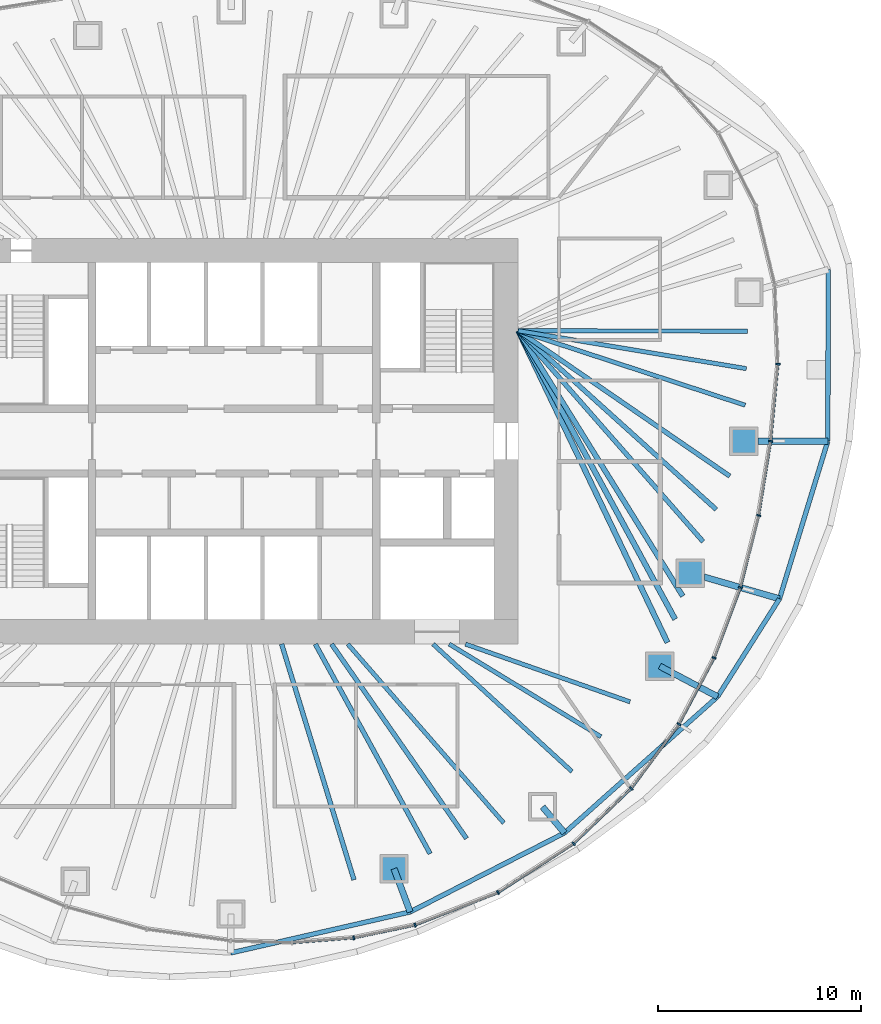
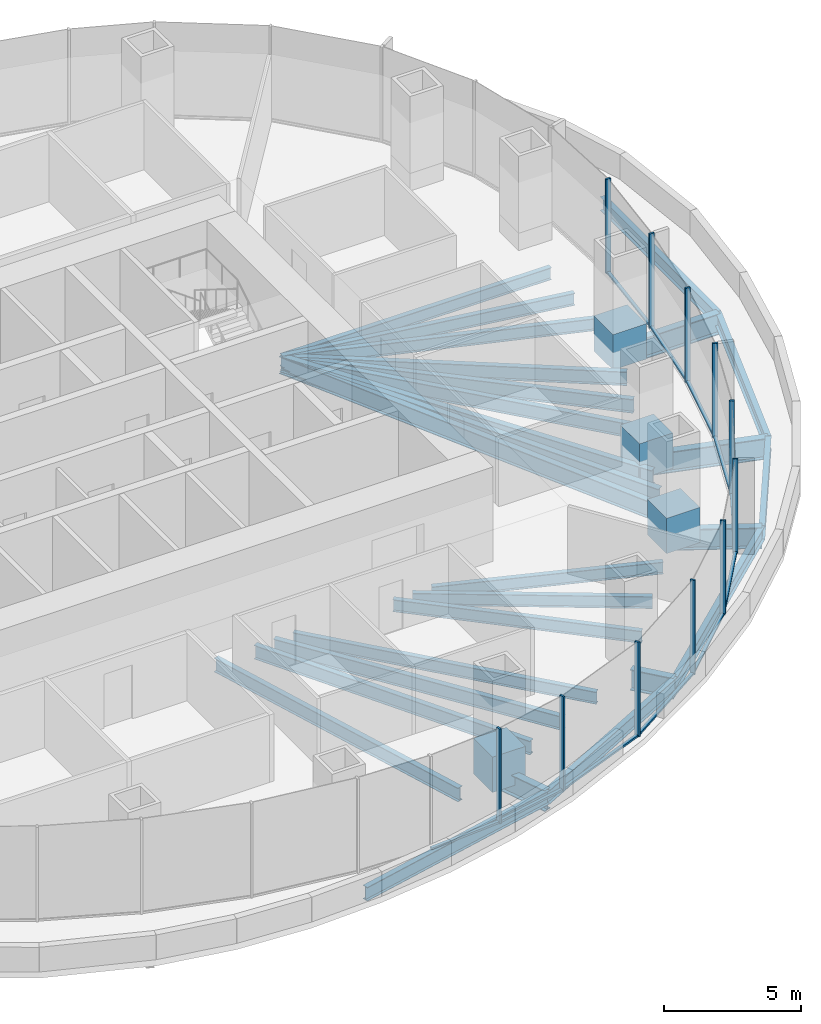
# One storey, part 4 of 12: 27 beams, 26 members, 6 elements without a shape of their own.
"""IFC4 building model written with IfcOpenShell, lengths in metres."""

from ifc_helpers import new_model, si_unit, direction, frame, origin, origin_2d, place, context, subcontext, project, spatial, rectangle, hollow_rectangle, i_section, extrude, boolean, material, material_profile, profile_set, type_object, element, aggregate, save


model = new_model("IFC4")

# Units and contexts
model_context = context("Model", 3, precision=1e-05, world=origin(), true_north=direction((0.0, 1.0)))
body_context = subcontext(model_context, "Body", "Model", "MODEL_VIEW")
ifc_project = project(units=[si_unit("LENGTHUNIT", "METRE"), si_unit("AREAUNIT", "SQUARE_METRE"), si_unit("VOLUMEUNIT", "CUBIC_METRE"), si_unit("PLANEANGLEUNIT", "RADIAN"), si_unit("MASSUNIT", "GRAM", prefix="KILO")], contexts=[model_context])

# Site, building, storey
site_placement = place(None, origin())
site = spatial("IfcSite", under=ifc_project, at=site_placement, CompositionType="ELEMENT")
building_placement = place(site_placement, origin())
building = spatial("IfcBuilding", under=site, at=building_placement, Name="Ghaith Harvest Tower", CompositionType="ELEMENT")
storey_placement = place(building_placement, frame((0.0, 0.0, 194.800048828125)))
storey = spatial("IfcBuildingStorey", under=building, at=storey_placement, Name="L42", CompositionType="ELEMENT", Elevation=194.800048828125)

# Curtain wall, members
ifc_material_1 = material(Name="Black anodised aluminium and fritted glass", Category="aluminium")
curtain_wall_type = type_object("IfcCurtainWallType", Name="CW-H CURTAIN WALL", PredefinedType="NOTDEFINED", material=ifc_material_1)
curtain_wall_1_placement = place(storey_placement, origin())
curtain_wall_1 = element("IfcCurtainWall", 1, at=curtain_wall_1_placement, inside=storey, type_object=curtain_wall_type, Name="Curtain wall CW-H bay 01 L42", PredefinedType="NOTDEFINED")
ifc_material_2 = material(Name="Aluminium, black anodised", Category="aluminium")
ifc_material_profile_1 = material_profile(ifc_material_2, rectangle(XDim=0.080078125, YDim=0.199951171875, at=origin_2d()), Name="CW-H MULLION 80x200")
ifc_profile_set_1 = profile_set([ifc_material_profile_1], Name="Aluminium, black anodised")
member_type_1 = type_object("IfcMemberType", Name="CW-H MULLION 80x200", PredefinedType="MULLION", material=ifc_profile_set_1)
member_1_placement = place(storey_placement, frame((26.445068359375, 0.0, 0.0), z_axis=(0.0, 0.0, 1.0), x_axis=(0.126567624553, 0.991957981174, 0.0)))
member_1 = element("IfcMember", 2, at=member_1_placement, type_object=member_type_1, Name="CW-H mullion 1 bay 01 L42", PredefinedType="MULLION", context=body_context, shape_type="SweptSolid", body=[
    extrude(rectangle(XDim=0.080078125, YDim=0.199951171875, at=origin_2d()), origin(), (0.0, 0.0, 1.0), 4.199951171875),
])
member_2_placement = place(storey_placement, frame((26.804443359375, 3.7958984375, 0.0), z_axis=(0.0, 0.0, 1.0), x_axis=(0.026142797814, 0.999658218654, 0.0)))
member_2 = element("IfcMember", 3, at=member_2_placement, type_object=member_type_1, Name="CW-H mullion 2 bay 01 L42", PredefinedType="MULLION", context=body_context, shape_type="SweptSolid", body=[
    extrude(rectangle(XDim=0.080078125, YDim=0.199951171875, at=origin_2d()), origin(), (0.0, 0.0, 1.0), 4.199951171875),
])

# Curtain wall, member
curtain_wall_2_placement = place(storey_placement, origin())
curtain_wall_2 = element("IfcCurtainWall", 4, at=curtain_wall_2_placement, inside=storey, type_object=curtain_wall_type, Name="Curtain wall CW-H bay 16 L42", PredefinedType="NOTDEFINED")
member_3_placement = place(storey_placement, frame((5.893310546875, -24.48291015625, 0.0), z_axis=(0.0, 0.0, 1.0), x_axis=(0.989849191496, 0.142121701704, 0.0)))
member_3 = element("IfcMember", 5, at=member_3_placement, type_object=member_type_1, Name="CW-H mullion 3 bay 16 L42", PredefinedType="MULLION", context=body_context, shape_type="SweptSolid", body=[
    extrude(rectangle(XDim=0.080078125, YDim=0.199951171875, at=origin_2d()), origin(), (0.0, 0.0, 1.0), 4.199951171875),
])

# Curtain wall, members
curtain_wall_3_placement = place(storey_placement, origin())
curtain_wall_3 = element("IfcCurtainWall", 6, at=curtain_wall_3_placement, inside=storey, type_object=curtain_wall_type, Name="Curtain wall CW-H bay 17 L42", PredefinedType="NOTDEFINED")
member_4_placement = place(storey_placement, frame((8.916015625, -23.85009765625, 0.0), z_axis=(0.0, 0.0, 1.0), x_axis=(0.954029934434, 0.299711334793, 0.0)))
member_4 = element("IfcMember", 7, at=member_4_placement, type_object=member_type_1, Name="CW-H mullion 1 bay 17 L42", PredefinedType="MULLION", context=body_context, shape_type="SweptSolid", body=[
    extrude(rectangle(XDim=0.080078125, YDim=0.199951171875, at=origin_2d()), origin(), (0.0, 0.0, 1.0), 4.199951171875),
])
member_5_placement = place(storey_placement, frame((13.010009765625, -22.2470703125, 0.0), z_axis=(0.0, 0.0, 1.0), x_axis=(0.889568363425, 0.456802065225, 0.0)))
member_5 = element("IfcMember", 8, at=member_5_placement, type_object=member_type_1, Name="CW-H mullion 2 bay 17 L42", PredefinedType="MULLION", context=body_context, shape_type="SweptSolid", body=[
    extrude(rectangle(XDim=0.080078125, YDim=0.199951171875, at=origin_2d()), origin(), (0.0, 0.0, 1.0), 4.199951171875),
])

curtain_wall_4_placement = place(storey_placement, origin())
curtain_wall_4 = element("IfcCurtainWall", 9, at=curtain_wall_4_placement, inside=storey, type_object=curtain_wall_type, Name="Curtain wall CW-H bay 18 L42", PredefinedType="NOTDEFINED")
member_6_placement = place(storey_placement, frame((16.72900390625, -19.838134765625, 0.0), z_axis=(0.0, 0.0, 1.0), x_axis=(0.78784554071, 0.615872879727, 0.0)))
member_6 = element("IfcMember", 10, at=member_6_placement, type_object=member_type_1, Name="CW-H mullion 1 bay 18 L42", PredefinedType="MULLION", context=body_context, shape_type="SweptSolid", body=[
    extrude(rectangle(XDim=0.080078125, YDim=0.199951171875, at=origin_2d()), origin(), (0.0, 0.0, 1.0), 4.199951171875),
])
member_7_placement = place(storey_placement, frame((19.57421875, -17.11572265625, 0.0), z_axis=(0.0, 0.0, 1.0), x_axis=(0.661614965695, 0.749843741835, 0.0)))
member_7 = element("IfcMember", 11, at=member_7_placement, type_object=member_type_1, Name="CW-H mullion 2 bay 18 L42", PredefinedType="MULLION", context=body_context, shape_type="SweptSolid", body=[
    extrude(rectangle(XDim=0.080078125, YDim=0.199951171875, at=origin_2d()), origin(), (0.0, 0.0, 1.0), 4.199951171875),
])

curtain_wall_5_placement = place(storey_placement, origin())
curtain_wall_5 = element("IfcCurtainWall", 12, at=curtain_wall_5_placement, inside=storey, type_object=curtain_wall_type, Name="Curtain wall CW-H bay 19 L42", PredefinedType="NOTDEFINED")
member_8_placement = place(storey_placement, frame((21.922607421875, -13.951904296875, 0.0), z_axis=(0.0, 0.0, 1.0), x_axis=(0.535827198032, 0.844327669717, 0.0)))
member_8 = element("IfcMember", 13, at=member_8_placement, type_object=member_type_1, Name="CW-H mullion 1 bay 19 L42", PredefinedType="MULLION", context=body_context, shape_type="SweptSolid", body=[
    extrude(rectangle(XDim=0.080078125, YDim=0.199951171875, at=origin_2d()), origin(), (0.0, 0.0, 1.0), 4.199951171875),
])
member_9_placement = place(storey_placement, frame((23.658203125, -10.680419921875, 0.0), z_axis=(0.0, 0.0, 1.0), x_axis=(0.410429862351, 0.911892169114, 0.0)))
member_9 = element("IfcMember", 14, at=member_9_placement, type_object=member_type_1, Name="CW-H mullion 2 bay 19 L42", PredefinedType="MULLION", context=body_context, shape_type="SweptSolid", body=[
    extrude(rectangle(XDim=0.080078125, YDim=0.199951171875, at=origin_2d()), origin(), (0.0, 0.0, 1.0), 4.199951171875),
])

curtain_wall_6_placement = place(storey_placement, origin())
curtain_wall_6 = element("IfcCurtainWall", 15, at=curtain_wall_6_placement, inside=storey, type_object=curtain_wall_type, Name="Curtain wall CW-H bay 20 L42", PredefinedType="NOTDEFINED")
member_10_placement = place(storey_placement, frame((24.955810546875, -7.212890625, 0.0), z_axis=(0.0, 0.0, 1.0), x_axis=(0.298441625478, 0.954427889462, 0.0)))
member_10 = element("IfcMember", 16, at=member_10_placement, type_object=member_type_1, Name="CW-H mullion 1 bay 20 L42", PredefinedType="MULLION", context=body_context, shape_type="SweptSolid", body=[
    extrude(rectangle(XDim=0.080078125, YDim=0.199951171875, at=origin_2d()), origin(), (0.0, 0.0, 1.0), 4.199951171875),
])
member_11_placement = place(storey_placement, frame((25.85302734375, -3.6611328125, 0.0), z_axis=(0.0, 0.0, 1.0), x_axis=(0.202192370647, 0.979345825157, 0.0)))
member_11 = element("IfcMember", 17, at=member_11_placement, type_object=member_type_1, Name="CW-H mullion 2 bay 20 L42", PredefinedType="MULLION", context=body_context, shape_type="SweptSolid", body=[
    extrude(rectangle(XDim=0.080078125, YDim=0.199951171875, at=origin_2d()), origin(), (0.0, 0.0, 1.0), 4.199951171875),
])

# Member
ifc_material_3 = material(Name="Aluminium, black anodised", Category="aluminium")
ifc_material_profile_2 = material_profile(ifc_material_3, rectangle(XDim=0.1298828125, YDim=0.080078125, at=origin_2d()), Name="CW-H TRANSOM 130x80")
ifc_profile_set_2 = profile_set([ifc_material_profile_2], Name="Aluminium, black anodised")
member_type_2 = type_object("IfcMemberType", Name="CW-H TRANSOM 130x80", PredefinedType="USERDEFINED", material=ifc_profile_set_2)
member_12_placement = place(storey_placement, frame((26.44873046875, 0.039794921875, 0.0400390625), z_axis=(0.094309089207, 0.995542965267, 0.0), x_axis=(-0.995542965267, 0.094309089207, 0.0)))
member_12 = element("IfcMember", 18, at=member_12_placement, type_object=member_type_2, Name="CW-H transom 1 bay 01 L42", ObjectType="TRANSOM", PredefinedType="USERDEFINED", context=body_context, shape_type="SweptSolid", body=[
    extrude(rectangle(XDim=0.1298828125, YDim=0.080078125, at=origin_2d()), origin(), (0.0, 0.0, 1.0), 3.73291015625),
])

aggregate(curtain_wall_1, [member_1, member_12, member_2])

member_13_placement = place(storey_placement, frame((2.8876953125, -24.71826171875, 0.0400390625), z_axis=(0.996949781933, 0.078045706505, 0.0), x_axis=(-0.078045706505, 0.996949781933, 0.0)))
member_13 = element("IfcMember", 19, at=member_13_placement, type_object=member_type_2, Name="CW-H transom 2 bay 16 L42", ObjectType="TRANSOM", PredefinedType="USERDEFINED", context=body_context, shape_type="SweptSolid", body=[
    extrude(rectangle(XDim=0.1298828125, YDim=0.080078125, at=origin_2d()), origin(), (0.0, 0.0, 1.0), 2.974853515625),
])

member_14_placement = place(storey_placement, frame((5.932373046875, -24.474609375, 0.0400390625), z_axis=(0.978797058213, 0.204832416461, 0.0), x_axis=(-0.204832416461, 0.978797058213, 0.0)))
member_14 = element("IfcMember", 20, at=member_14_placement, type_object=member_type_2, Name="CW-H transom 3 bay 16 L42", ObjectType="TRANSOM", PredefinedType="USERDEFINED", context=body_context, shape_type="SweptSolid", body=[
    extrude(rectangle(XDim=0.1298828125, YDim=0.080078125, at=origin_2d()), origin(), (0.0, 0.0, 1.0), 3.00830078125),
])

aggregate(curtain_wall_2, [member_13, member_3, member_14])

member_15_placement = place(storey_placement, frame((8.953369140625, -23.835693359375, 0.0400390625), z_axis=(0.931147615871, 0.364642451529, 0.0), x_axis=(-0.364642451529, 0.931147615871, 0.0)))
member_15 = element("IfcMember", 21, at=member_15_placement, type_object=member_type_2, Name="CW-H transom 1 bay 17 L42", ObjectType="TRANSOM", PredefinedType="USERDEFINED", context=body_context, shape_type="SweptSolid", body=[
    extrude(rectangle(XDim=0.1298828125, YDim=0.080078125, at=origin_2d()), origin(), (0.0, 0.0, 1.0), 4.31640625),
])

member_16_placement = place(storey_placement, frame((13.04345703125, -22.225341796875, 0.0400390625), z_axis=(0.839306610985, 0.543658360331, 0.0), x_axis=(-0.543658360331, 0.839306610985, 0.0)))
member_16 = element("IfcMember", 22, at=member_16_placement, type_object=member_type_2, Name="CW-H transom 2 bay 17 L42", ObjectType="TRANSOM", PredefinedType="USERDEFINED", context=body_context, shape_type="SweptSolid", body=[
    extrude(rectangle(XDim=0.1298828125, YDim=0.080078125, at=origin_2d()), origin(), (0.0, 0.0, 1.0), 4.35107421875),
])

aggregate(curtain_wall_3, [member_4, member_15, member_5, member_16])

member_17_placement = place(storey_placement, frame((16.7578125, -19.810546875, 0.0400390625), z_axis=(0.722533278657, 0.691336141998, 0.0), x_axis=(-0.691336141998, 0.722533278657, 0.0)))
member_17 = element("IfcMember", 23, at=member_17_placement, type_object=member_type_2, Name="CW-H transom 1 bay 18 L42", ObjectType="TRANSOM", PredefinedType="USERDEFINED", context=body_context, shape_type="SweptSolid", body=[
    extrude(rectangle(XDim=0.1298828125, YDim=0.080078125, at=origin_2d()), origin(), (0.0, 0.0, 1.0), 3.858154296875),
])

member_18_placement = place(storey_placement, frame((19.59814453125, -17.083740234375, 0.0400390625), z_axis=(0.595995597074, 0.802987701194, 0.0), x_axis=(-0.802987701194, 0.595995597074, 0.0)))
member_18 = element("IfcMember", 24, at=member_18_placement, type_object=member_type_2, Name="CW-H transom 2 bay 18 L42", ObjectType="TRANSOM", PredefinedType="USERDEFINED", context=body_context, shape_type="SweptSolid", body=[
    extrude(rectangle(XDim=0.1298828125, YDim=0.080078125, at=origin_2d()), origin(), (0.0, 0.0, 1.0), 3.8603515625),
])

aggregate(curtain_wall_4, [member_6, member_17, member_7, member_18])

member_19_placement = place(storey_placement, frame((21.94140625, -13.91650390625, 0.0400390625), z_axis=(0.468646057757, 0.883386026915, 0.0), x_axis=(-0.883386026915, 0.468646057757, 0.0)))
member_19 = element("IfcMember", 25, at=member_19_placement, type_object=member_type_2, Name="CW-H transom 1 bay 19 L42", ObjectType="TRANSOM", PredefinedType="USERDEFINED", context=body_context, shape_type="SweptSolid", body=[
    extrude(rectangle(XDim=0.1298828125, YDim=0.080078125, at=origin_2d()), origin(), (0.0, 0.0, 1.0), 3.623291015625),
])

member_20_placement = place(storey_placement, frame((23.672119140625, -10.64306640625, 0.0400390625), z_axis=(0.350510368091, 0.936558851253, 0.0), x_axis=(-0.936558851253, 0.350510368091, 0.0)))
member_20 = element("IfcMember", 26, at=member_20_placement, type_object=member_type_2, Name="CW-H transom 2 bay 19 L42", ObjectType="TRANSOM", PredefinedType="USERDEFINED", context=body_context, shape_type="SweptSolid", body=[
    extrude(rectangle(XDim=0.1298828125, YDim=0.080078125, at=origin_2d()), origin(), (0.0, 0.0, 1.0), 3.62255859375),
])

aggregate(curtain_wall_5, [member_8, member_19, member_9, member_20])

member_21_placement = place(storey_placement, frame((24.965576171875, -7.174072265625, 0.0400390625), z_axis=(0.244939588347, 0.969538342749, 0.0), x_axis=(-0.969538342749, 0.244939588347, 0.0)))
member_21 = element("IfcMember", 27, at=member_21_placement, type_object=member_type_2, Name="CW-H transom 1 bay 20 L42", ObjectType="TRANSOM", PredefinedType="USERDEFINED", context=body_context, shape_type="SweptSolid", body=[
    extrude(rectangle(XDim=0.1298828125, YDim=0.080078125, at=origin_2d()), origin(), (0.0, 0.0, 1.0), 3.583251953125),
])

member_22_placement = place(storey_placement, frame((25.859375, -3.62158203125, 0.0400390625), z_axis=(0.159661845696, 0.987171765717, 0.0), x_axis=(-0.987171765717, 0.159661845696, 0.0)))
member_22 = element("IfcMember", 28, at=member_22_placement, type_object=member_type_2, Name="CW-H transom 2 bay 20 L42", ObjectType="TRANSOM", PredefinedType="USERDEFINED", context=body_context, shape_type="SweptSolid", body=[
    extrude(rectangle(XDim=0.1298828125, YDim=0.080078125, at=origin_2d()), origin(), (0.0, 0.0, 1.0), 3.628662109375),
])

aggregate(curtain_wall_6, [member_10, member_21, member_11, member_22])

# Beams
ifc_material_4 = material(Name="Steel ASTM A992 Grade 50", Category="steel")
ifc_material_profile_3 = material_profile(ifc_material_4, i_section(OverallWidth=0.22900390625, OverallDepth=0.612060546875, WebThickness=0.011962890625, FlangeThickness=0.01953125, at=origin_2d()), Name="W610X125")
ifc_profile_set_3 = profile_set([ifc_material_profile_3], Name="Steel ASTM A992 Grade 50")
beam_type_1 = type_object("IfcBeamType", Name="E610-125 W610X125", PredefinedType="SPANDREL", material=ifc_profile_set_3)
beam_1_placement = place(storey_placement, frame((29.2587890625, 0.0, -0.5810546875), z_axis=(0.003259284678, 0.999994688518, 0.0), x_axis=(-0.999994688518, 0.003259284678, 0.0)))
element("IfcBeam", 29, at=beam_1_placement, inside=storey, type_object=beam_type_1, Name="Setback edge beam E01 L42", PredefinedType="SPANDREL", context=body_context, shape_type="SweptSolid", body=[
    extrude(i_section(OverallWidth=0.22900390625, OverallDepth=0.612060546875, WebThickness=0.011962890625, FlangeThickness=0.01953125, at=origin_2d()), origin(), (0.0, 0.0, 1.0), 8.46435546875),
])
beam_2_placement = place(storey_placement, frame((-0.172607421875, -25.2236328125, -0.5810546875), z_axis=(0.974890722648, 0.222683809233, 0.0), x_axis=(-0.222683809233, 0.974890722648, 0.0)))
element("IfcBeam", 30, at=beam_2_placement, inside=storey, type_object=beam_type_1, Name="Setback edge beam E16 L42", PredefinedType="SPANDREL", context=body_context, shape_type="SweptSolid", body=[
    extrude(i_section(OverallWidth=0.22900390625, OverallDepth=0.612060546875, WebThickness=0.011962890625, FlangeThickness=0.01953125, at=origin_2d()), origin(), (0.0, 0.0, 1.0), 9.074462890625),
])
beam_3_placement = place(storey_placement, frame((8.674072265625, -23.202880859375, -0.5810546875), z_axis=(0.89005467246, 0.455853792385, 0.0), x_axis=(-0.455853792385, 0.89005467246, 0.0)))
element("IfcBeam", 31, at=beam_3_placement, inside=storey, type_object=beam_type_1, Name="Setback edge beam E17 L42", PredefinedType="SPANDREL", context=body_context, shape_type="SweptSolid", body=[
    extrude(i_section(OverallWidth=0.22900390625, OverallDepth=0.612060546875, WebThickness=0.011962890625, FlangeThickness=0.01953125, at=origin_2d()), origin(), (0.0, 0.0, 1.0), 8.546630859375),
])
beam_4_placement = place(storey_placement, frame((16.281005859375, -19.306884765625, -0.5810546875), z_axis=(0.747065106677, 0.66475087543, 0.0), x_axis=(-0.66475087543, 0.747065106677, 0.0)))
element("IfcBeam", 32, at=beam_4_placement, inside=storey, type_object=beam_type_1, Name="Setback edge beam E18 L42", PredefinedType="SPANDREL", context=body_context, shape_type="SweptSolid", body=[
    extrude(i_section(OverallWidth=0.22900390625, OverallDepth=0.612060546875, WebThickness=0.011962890625, FlangeThickness=0.01953125, at=origin_2d()), origin(), (0.0, 0.0, 1.0), 10.09912109375),
])
beam_5_placement = place(storey_placement, frame((23.82568359375, -12.593505859375, -0.5810546875), z_axis=(0.534649190826, 0.845074104886, 0.0), x_axis=(-0.845074104886, 0.534649190826, 0.0)))
element("IfcBeam", 33, at=beam_5_placement, inside=storey, type_object=beam_type_1, Name="Setback edge beam E19 L42", PredefinedType="SPANDREL", context=body_context, shape_type="SweptSolid", body=[
    extrude(i_section(OverallWidth=0.22900390625, OverallDepth=0.612060546875, WebThickness=0.011962890625, FlangeThickness=0.01953125, at=origin_2d()), origin(), (0.0, 0.0, 1.0), 5.709716796875),
])
beam_6_placement = place(storey_placement, frame((26.87841796875, -7.768310546875, -0.5810546875), z_axis=(0.292974984748, 0.956120106635, 0.0), x_axis=(-0.956120106635, 0.292974984748, 0.0)))
element("IfcBeam", 34, at=beam_6_placement, inside=storey, type_object=beam_type_1, Name="Setback edge beam E20 L42", PredefinedType="SPANDREL", context=body_context, shape_type="SweptSolid", body=[
    extrude(i_section(OverallWidth=0.22900390625, OverallDepth=0.612060546875, WebThickness=0.011962890625, FlangeThickness=0.01953125, at=origin_2d()), origin(), (0.0, 0.0, 1.0), 8.124755859375),
])
ifc_material_5 = material(Name="Steel ASTM A992 Grade 50", Category="steel")
ifc_material_profile_4 = material_profile(ifc_material_5, i_section(OverallWidth=0.31005859375, OverallDepth=0.927001953125, WebThickness=0.019287109375, FlangeThickness=0.031982421875, at=origin_2d()), Name="W920X289")
ifc_profile_set_4 = profile_set([ifc_material_profile_4], Name="Steel ASTM A992 Grade 50")
beam_type_2 = type_object("IfcBeamType", Name="G920-289 W920X289", PredefinedType="BEAM", material=ifc_profile_set_4)
beam_7_placement = place(storey_placement, frame((25.125, 0.0, -0.738525390625), z_axis=(1.0, 0.0, 0.0), x_axis=(0.0, 1.0, 0.0)))
element("IfcBeam", 35, at=beam_7_placement, inside=storey, type_object=beam_type_2, Name="Setback cantilever G01 L42", PredefinedType="BEAM", context=body_context, shape_type="SweptSolid", body=[
    extrude(i_section(OverallWidth=0.31005859375, OverallDepth=0.927001953125, WebThickness=0.019287109375, FlangeThickness=0.031982421875, at=origin_2d()), origin(), (0.0, 0.0, 1.0), 4.1337890625),
])
beam_8_placement = place(storey_placement, frame((7.8779296875, -21.072021484375, -0.738525390625), z_axis=(0.349994045176, -0.936751924653, 0.0), x_axis=(0.936751924653, 0.349994045176, 0.0)))
element("IfcBeam", 36, at=beam_8_placement, inside=storey, type_object=beam_type_2, Name="Setback cantilever G17 L42", PredefinedType="BEAM", context=body_context, shape_type="SweptSolid", body=[
    extrude(i_section(OverallWidth=0.31005859375, OverallDepth=0.927001953125, WebThickness=0.019287109375, FlangeThickness=0.031982421875, at=origin_2d()), origin(), (0.0, 0.0, 1.0), 2.274658203125),
])
beam_9_placement = place(storey_placement, frame((15.197998046875, -18.02294921875, -0.738525390625), z_axis=(0.644762149957, -0.764383261187, 0.0), x_axis=(0.764383261187, 0.644762149957, 0.0)))
element("IfcBeam", 37, at=beam_9_placement, inside=storey, type_object=beam_type_2, Name="Setback cantilever G18 L42", PredefinedType="BEAM", context=body_context, shape_type="SweptSolid", body=[
    extrude(i_section(OverallWidth=0.31005859375, OverallDepth=0.927001953125, WebThickness=0.019287109375, FlangeThickness=0.031982421875, at=origin_2d()), origin(), (0.0, 0.0, 1.0), 1.6796875),
])
beam_10_placement = place(storey_placement, frame((20.97705078125, -11.087890625, -0.738525390625), z_axis=(0.884106567485, -0.467285327535, 0.0), x_axis=(0.467285327535, 0.884106567485, 0.0)))
element("IfcBeam", 38, at=beam_10_placement, inside=storey, type_object=beam_type_2, Name="Setback cantilever G19 L42", PredefinedType="BEAM", context=body_context, shape_type="SweptSolid", body=[
    extrude(i_section(OverallWidth=0.31005859375, OverallDepth=0.927001953125, WebThickness=0.019287109375, FlangeThickness=0.031982421875, at=origin_2d()), origin(), (0.0, 0.0, 1.0), 3.22216796875),
])
beam_11_placement = place(storey_placement, frame((22.485107421875, -6.4990234375, -0.738525390625), z_axis=(0.960707855906, -0.277561552812, 0.0), x_axis=(0.277561552812, 0.960707855906, 0.0)))
element("IfcBeam", 39, at=beam_11_placement, inside=storey, type_object=beam_type_2, Name="Setback cantilever G20 L42", PredefinedType="BEAM", context=body_context, shape_type="SweptSolid", body=[
    extrude(i_section(OverallWidth=0.31005859375, OverallDepth=0.927001953125, WebThickness=0.019287109375, FlangeThickness=0.031982421875, at=origin_2d()), origin(), (0.0, 0.0, 1.0), 4.572998046875),
])
ifc_material_6 = material(Name="Steel ASTM A992 Grade 50", Category="steel")
ifc_material_profile_5 = material_profile(ifc_material_6, i_section(OverallWidth=0.2109375, OverallDepth=0.5390625, WebThickness=0.01171875, FlangeThickness=0.018798828125, at=origin_2d()), Name="W530X109")
ifc_profile_set_5 = profile_set([ifc_material_profile_5], Name="Steel ASTM A992 Grade 50")
beam_type_3 = type_object("IfcBeamType", Name="J530-109 W530X109", PredefinedType="JOIST", material=ifc_profile_set_5)
beam_12_placement = place(storey_placement, frame((14.0, 5.4462890625, -0.439453125), z_axis=(0.950122809108, -0.311876013204, 0.0), x_axis=(0.311876013204, 0.950122809108, 0.0)))
element("IfcBeam", 40, at=beam_12_placement, inside=storey, type_object=beam_type_3, Name="Joist J01.1 L42", PredefinedType="JOIST", context=body_context, shape_type="SweptSolid", body=[
    extrude(i_section(OverallWidth=0.2109375, OverallDepth=0.5390625, WebThickness=0.01171875, FlangeThickness=0.018798828125, at=origin_2d()), origin(), (0.0, 0.0, 1.0), 11.7734375),
])
beam_13_placement = place(storey_placement, frame((14.0, 5.4462890625, -0.439453125), z_axis=(0.986448841751, -0.16406913972, 0.0), x_axis=(0.16406913972, 0.986448841751, 0.0)))
element("IfcBeam", 41, at=beam_13_placement, inside=storey, type_object=beam_type_3, Name="Joist J01.2 L42", PredefinedType="JOIST", context=body_context, shape_type="SweptSolid", body=[
    extrude(i_section(OverallWidth=0.2109375, OverallDepth=0.5390625, WebThickness=0.01171875, FlangeThickness=0.018798828125, at=origin_2d()), origin(), (0.0, 0.0, 1.0), 11.40283203125),
])
beam_14_placement = place(storey_placement, frame((14.0, 5.4462890625, -0.439453125), z_axis=(0.999997671003, -0.002158237301, 0.0), x_axis=(0.002158237301, 0.999997671003, 0.0)))
element("IfcBeam", 42, at=beam_14_placement, inside=storey, type_object=beam_type_3, Name="Joist J01.3 L42", PredefinedType="JOIST", context=body_context, shape_type="SweptSolid", body=[
    extrude(i_section(OverallWidth=0.2109375, OverallDepth=0.5390625, WebThickness=0.01171875, FlangeThickness=0.018798828125, at=origin_2d()), origin(), (0.0, 0.0, 1.0), 11.31201171875),
])
beam_15_placement = place(storey_placement, frame((5.60009765625, -10.0, -0.439453125), z_axis=(0.657213934262, -0.753704082921, 0.0), x_axis=(0.753704082921, 0.657213934262, 0.0)))
element("IfcBeam", 43, at=beam_15_placement, inside=storey, type_object=beam_type_3, Name="Joist J17.3 L42", PredefinedType="JOIST", context=body_context, shape_type="SweptSolid", body=[
    extrude(i_section(OverallWidth=0.2109375, OverallDepth=0.5390625, WebThickness=0.01171875, FlangeThickness=0.018798828125, at=origin_2d()), origin(), (0.0, 0.0, 1.0), 11.69970703125),
])
beam_16_placement = place(storey_placement, frame((9.800048828125, -10.0, -0.439453125), z_axis=(0.736998187228, -0.675894719629, 0.0), x_axis=(0.675894719629, 0.736998187228, 0.0)))
element("IfcBeam", 44, at=beam_16_placement, inside=storey, type_object=beam_type_3, Name="Joist J18.1 L42", PredefinedType="JOIST", context=body_context, shape_type="SweptSolid", body=[
    extrude(i_section(OverallWidth=0.2109375, OverallDepth=0.5390625, WebThickness=0.01171875, FlangeThickness=0.018798828125, at=origin_2d()), origin(), (0.0, 0.0, 1.0), 9.293701171875),
])
ifc_material_7 = material(Name="Steel ASTM A992 Grade 50", Category="steel")
ifc_material_profile_6 = material_profile(ifc_material_7, i_section(OverallWidth=0.208984375, OverallDepth=0.532958984375, WebThickness=0.01025390625, FlangeThickness=0.015625, at=origin_2d()), Name="W530X92")
ifc_profile_set_6 = profile_set([ifc_material_profile_6], Name="Steel ASTM A992 Grade 50")
beam_type_4 = type_object("IfcBeamType", Name="J530-92 W530X92", PredefinedType="JOIST", material=ifc_profile_set_6)
beam_17_placement = place(storey_placement, frame((10.60009765625, -10.0, -0.4365234375), z_axis=(0.853467052113, -0.521146803654, 0.0), x_axis=(0.521146803654, 0.853467052113, 0.0)))
element("IfcBeam", 45, at=beam_17_placement, inside=storey, type_object=beam_type_4, Name="Joist J18.2 L42", PredefinedType="JOIST", context=body_context, shape_type="SweptSolid", body=[
    extrude(i_section(OverallWidth=0.208984375, OverallDepth=0.532958984375, WebThickness=0.01025390625, FlangeThickness=0.015625, at=origin_2d()), origin(), (0.0, 0.0, 1.0), 8.76220703125),
])
beam_18_placement = place(storey_placement, frame((11.39990234375, -10.0, -0.4365234375), z_axis=(0.943605274188, -0.331072630285, 0.0), x_axis=(0.331072630285, 0.943605274188, 0.0)))
element("IfcBeam", 46, at=beam_18_placement, inside=storey, type_object=beam_type_4, Name="Joist J18.3 L42", PredefinedType="JOIST", context=body_context, shape_type="SweptSolid", body=[
    extrude(i_section(OverallWidth=0.208984375, OverallDepth=0.532958984375, WebThickness=0.01025390625, FlangeThickness=0.015625, at=origin_2d()), origin(), (0.0, 0.0, 1.0), 8.596923828125),
])
ifc_material_8 = material(Name="Steel ASTM A992 Grade 50", Category="steel")
ifc_material_profile_7 = material_profile(ifc_material_8, i_section(OverallWidth=0.22900390625, OverallDepth=0.612060546875, WebThickness=0.011962890625, FlangeThickness=0.01953125, at=origin_2d()), Name="W610X125")
ifc_profile_set_7 = profile_set([ifc_material_profile_7], Name="Steel ASTM A992 Grade 50")
beam_type_5 = type_object("IfcBeamType", Name="J610-125 W610X125", PredefinedType="JOIST", material=ifc_profile_set_7)
beam_19_placement = place(storey_placement, frame((2.33837890625, -10.0, -0.47607421875), z_axis=(0.293384308095, -0.955994585635, 0.0), x_axis=(0.955994585635, 0.293384308095, 0.0)))
element("IfcBeam", 47, at=beam_19_placement, inside=storey, type_object=beam_type_5, Name="Joist J16.3 L42", PredefinedType="JOIST", context=body_context, shape_type="SweptSolid", body=[
    extrude(i_section(OverallWidth=0.22900390625, OverallDepth=0.612060546875, WebThickness=0.011962890625, FlangeThickness=0.01953125, at=origin_2d()), origin(), (0.0, 0.0, 1.0), 12.1552734375),
])
beam_20_placement = place(storey_placement, frame((4.0, -10.0, -0.47607421875), z_axis=(0.480322595727, -0.877091901704, 0.0), x_axis=(0.877091901704, 0.480322595727, 0.0)))
element("IfcBeam", 48, at=beam_20_placement, inside=storey, type_object=beam_type_5, Name="Joist J17.1 L42", PredefinedType="JOIST", context=body_context, shape_type="SweptSolid", body=[
    extrude(i_section(OverallWidth=0.22900390625, OverallDepth=0.612060546875, WebThickness=0.011962890625, FlangeThickness=0.01953125, at=origin_2d()), origin(), (0.0, 0.0, 1.0), 11.778564453125),
])
beam_21_placement = place(storey_placement, frame((4.800048828125, -10.0, -0.47607421875), z_axis=(0.570225976326, -0.821487879353, 0.0), x_axis=(0.821487879353, 0.570225976326, 0.0)))
element("IfcBeam", 49, at=beam_21_placement, inside=storey, type_object=beam_type_5, Name="Joist J17.2 L42", PredefinedType="JOIST", context=body_context, shape_type="SweptSolid", body=[
    extrude(i_section(OverallWidth=0.22900390625, OverallDepth=0.612060546875, WebThickness=0.011962890625, FlangeThickness=0.01953125, at=origin_2d()), origin(), (0.0, 0.0, 1.0), 11.665771484375),
])
beam_22_placement = place(storey_placement, frame((14.0, 5.4462890625, -0.47607421875), z_axis=(0.659159409697, -0.752003239759, 0.0), x_axis=(0.752003239759, 0.659159409697, 0.0)))
element("IfcBeam", 50, at=beam_22_placement, inside=storey, type_object=beam_type_5, Name="Joist J20.1 L42", PredefinedType="JOIST", context=body_context, shape_type="SweptSolid", body=[
    extrude(i_section(OverallWidth=0.22900390625, OverallDepth=0.612060546875, WebThickness=0.011962890625, FlangeThickness=0.01953125, at=origin_2d()), origin(), (0.0, 0.0, 1.0), 13.826416015625),
])
beam_23_placement = place(storey_placement, frame((14.0, 5.4462890625, -0.47607421875), z_axis=(0.742222114125, -0.670153962388, 0.0), x_axis=(0.670153962388, 0.742222114125, 0.0)))
element("IfcBeam", 51, at=beam_23_placement, inside=storey, type_object=beam_type_5, Name="Joist J20.2 L42", PredefinedType="JOIST", context=body_context, shape_type="SweptSolid", body=[
    extrude(i_section(OverallWidth=0.22900390625, OverallDepth=0.612060546875, WebThickness=0.011962890625, FlangeThickness=0.01953125, at=origin_2d()), origin(), (0.0, 0.0, 1.0), 13.1474609375),
])
beam_24_placement = place(storey_placement, frame((14.0, 5.4462890625, -0.47607421875), z_axis=(0.824059941159, -0.566502615507, 0.0), x_axis=(0.566502615507, 0.824059941159, 0.0)))
element("IfcBeam", 52, at=beam_24_placement, inside=storey, type_object=beam_type_5, Name="Joist J20.3 L42", PredefinedType="JOIST", context=body_context, shape_type="SweptSolid", body=[
    extrude(i_section(OverallWidth=0.22900390625, OverallDepth=0.612060546875, WebThickness=0.011962890625, FlangeThickness=0.01953125, at=origin_2d()), origin(), (0.0, 0.0, 1.0), 12.651611328125),
])
ifc_material_9 = material(Name="Steel ASTM A992 Grade 50", Category="steel")
ifc_material_profile_8 = material_profile(ifc_material_9, i_section(OverallWidth=0.25390625, OverallDepth=0.68408203125, WebThickness=0.012451171875, FlangeThickness=0.018798828125, at=origin_2d()), Name="W690X140")
ifc_profile_set_8 = profile_set([ifc_material_profile_8], Name="Steel ASTM A992 Grade 50")
beam_type_6 = type_object("IfcBeamType", Name="J690-140 W690X140", PredefinedType="JOIST", material=ifc_profile_set_8)
beam_25_placement = place(storey_placement, frame((14.0, 5.4462890625, -0.511962890625), z_axis=(0.526907591611, -0.849922578769, 0.0), x_axis=(0.849922578769, 0.526907591611, 0.0)))
element("IfcBeam", 53, at=beam_25_placement, inside=storey, type_object=beam_type_6, Name="Joist J19.3 L42", PredefinedType="JOIST", context=body_context, shape_type="SweptSolid", body=[
    extrude(i_section(OverallWidth=0.25390625, OverallDepth=0.68408203125, WebThickness=0.012451171875, FlangeThickness=0.018798828125, at=origin_2d()), origin(), (0.0, 0.0, 1.0), 15.393798828125),
])
ifc_material_10 = material(Name="Steel ASTM A992 Grade 50", Category="steel")
ifc_material_profile_9 = material_profile(ifc_material_10, i_section(OverallWidth=0.26806640625, OverallDepth=0.77001953125, WebThickness=0.015625, FlangeThickness=0.025390625, at=origin_2d()), Name="W760X196")
ifc_profile_set_9 = profile_set([ifc_material_profile_9], Name="Steel ASTM A992 Grade 50")
beam_type_7 = type_object("IfcBeamType", Name="J760-196 W760X196", PredefinedType="JOIST", material=ifc_profile_set_9)
beam_26_placement = place(storey_placement, frame((14.0, 5.4462890625, -0.554931640625), z_axis=(0.431791030419, -0.901973672592, 0.0), x_axis=(0.901973672592, 0.431791030419, 0.0)))
element("IfcBeam", 54, at=beam_26_placement, inside=storey, type_object=beam_type_7, Name="Joist J19.1 L42", PredefinedType="JOIST", context=body_context, shape_type="SweptSolid", body=[
    extrude(i_section(OverallWidth=0.26806640625, OverallDepth=0.77001953125, WebThickness=0.015625, FlangeThickness=0.025390625, at=origin_2d()), origin(), (0.0, 0.0, 1.0), 17.042724609375),
])
beam_27_placement = place(storey_placement, frame((14.0, 5.4462890625, -0.554931640625), z_axis=(0.477785828907, -0.878476352383, 0.0), x_axis=(0.878476352383, 0.477785828907, 0.0)))
element("IfcBeam", 55, at=beam_27_placement, inside=storey, type_object=beam_type_7, Name="Joist J19.2 L42", PredefinedType="JOIST", context=body_context, shape_type="SweptSolid", body=[
    extrude(i_section(OverallWidth=0.26806640625, OverallDepth=0.77001953125, WebThickness=0.015625, FlangeThickness=0.025390625, at=origin_2d()), origin(), (0.0, 0.0, 1.0), 16.191650390625),
])

# Members
ifc_material_11 = material(Name="Steel S690QL", Category="steel")
ifc_material_profile_10 = material_profile(ifc_material_11, hollow_rectangle(XDim=1.39990234375, YDim=1.39990234375, WallThickness=0.139892578125, at=origin_2d()), Name="BOX1400X1400X140")
ifc_profile_set_10 = profile_set([ifc_material_profile_10], Name="Steel S690QL")
member_type_3 = type_object("IfcMemberType", Name="KN2 BOX1400X1400X140", PredefinedType="USERDEFINED", material=ifc_profile_set_10)
for number, where, z_axis, x_axis, name in (
    (56, (25.125, 0.0, -0.775146484375), (0.0, 0.0, 1.0), (1.0, 0.0, 0.0), "Raked column kink node C01 head L41"),
    (57, (7.8779296875, -21.072021484375, -0.775146484375), (0.0, 0.0, 1.0), (1.0, 0.0, 0.0), "Raked column kink node C17 head L41"),
    (58, (20.97705078125, -11.087890625, -0.775146484375), (0.0, 0.0, 1.0), (1.0, 0.0, 0.0), "Raked column kink node C19 head L41"),
    (59, (22.485107421875, -6.4990234375, -0.775146484375), (0.0, 0.0, 1.0), (1.0, 0.0, 0.0), "Raked column kink node C20 head L41"),
):
    element("IfcMember", number, at=place(storey_placement, frame(where, z_axis=z_axis, x_axis=x_axis)), inside=storey, type_object=member_type_3, Name=name, ObjectType="KINK NODE", PredefinedType="USERDEFINED", context=body_context, shape_type="CSG", body=[
        boolean("UNION", extrude(hollow_rectangle(XDim=1.39990234375, YDim=1.39990234375, WallThickness=0.139892578125, at=origin_2d()), origin(), (0.0, 0.0, 1.0), 1.55029296875), extrude(rectangle(XDim=1.39990234375, YDim=1.39990234375, at=origin_2d()), frame((0.0, 0.0, 1.55029296875)), (0.0, 0.0, 1.0), 0.02490234375)),
    ])

save(model, "model.ifc")
